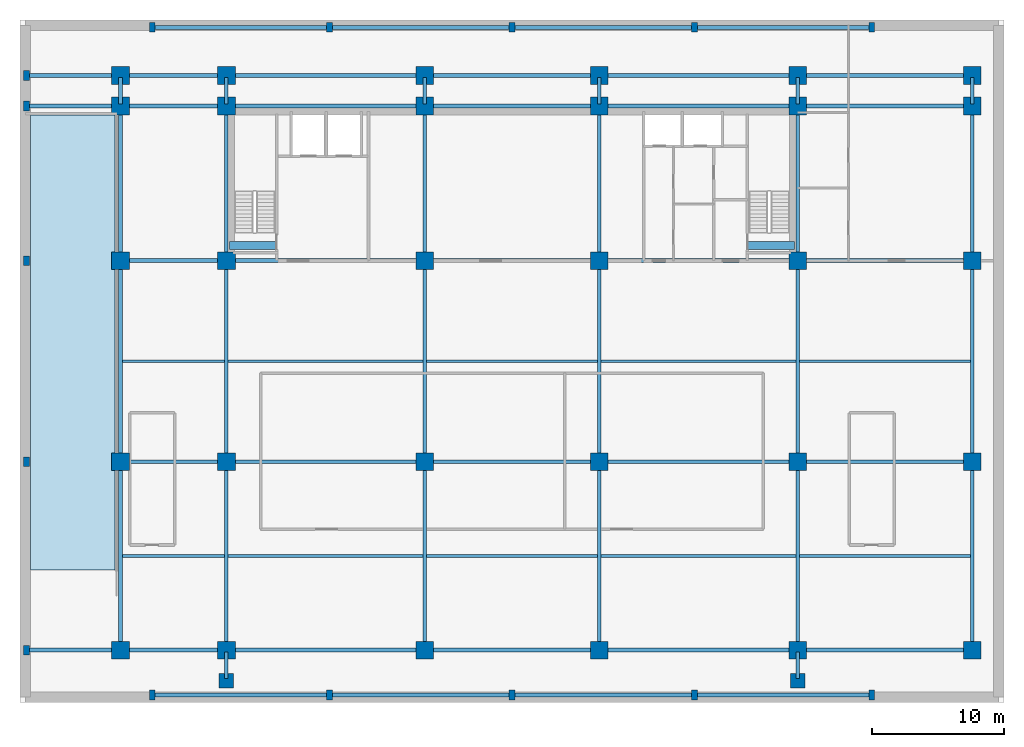
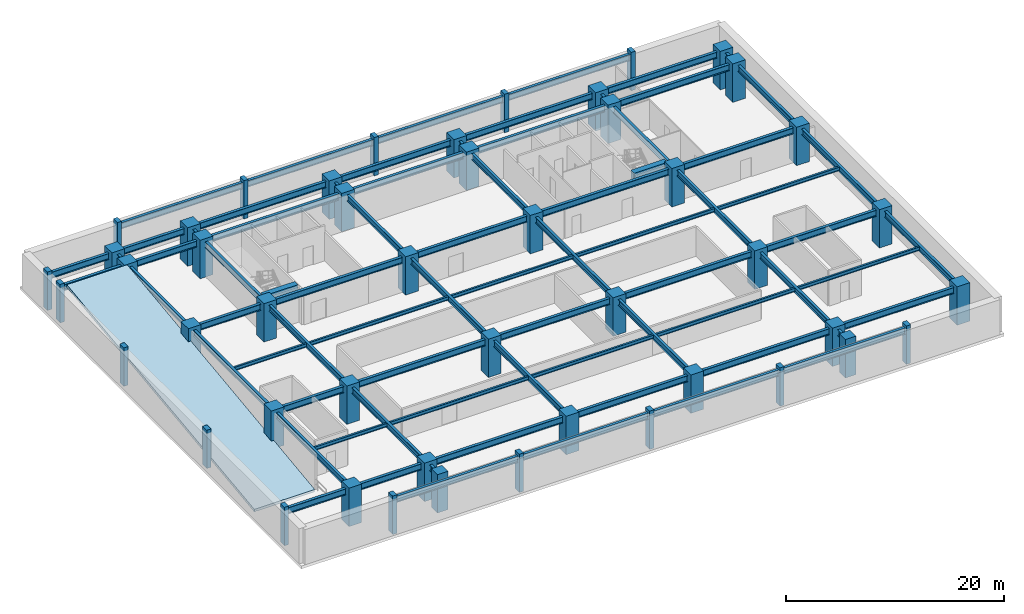
# One storey, part 1 of 8: 74 beams, 47 columns, 1 slab.
"""IFC4 building model written with IfcOpenShell, lengths in metres."""

from ifc_helpers import new_model, si_unit, direction, frame, origin, origin_2d, place, context, subcontext, project, spatial, polyline, rectangle, i_section, outline, extrude, source, transform, mapped, material, layer, layer_set, material_profile, profile_set, type_object, element, save


model = new_model("IFC4")

# Units and contexts
model_context = context("Model", 3, precision=1e-05, world=origin(), true_north=direction((0.0, 1.0)))
body_context = subcontext(model_context, "Body", "Model", "MODEL_VIEW")
ifc_project = project(units=[si_unit("LENGTHUNIT", "METRE"), si_unit("AREAUNIT", "SQUARE_METRE"), si_unit("VOLUMEUNIT", "CUBIC_METRE"), si_unit("PLANEANGLEUNIT", "RADIAN"), si_unit("MASSUNIT", "GRAM", prefix="KILO")], contexts=[model_context])

# Site, building, storey
site_placement = place(None, origin())
site = spatial("IfcSite", under=ifc_project, at=site_placement, CompositionType="ELEMENT")
building_placement = place(site_placement, origin())
building = spatial("IfcBuilding", under=site, at=building_placement, Name="Trelvane Seafront Commons", CompositionType="ELEMENT")
storey_placement = place(building_placement, frame((0.0, 0.0, -4.300048828125)))
storey = spatial("IfcBuildingStorey", under=building, at=storey_placement, Name="B01", CompositionType="ELEMENT", Elevation=-4.300048828125)

# Columns
ifc_material_1 = material(Name="Concrete C50/60", Category="concrete")
ifc_material_profile_1 = material_profile(ifc_material_1, rectangle(XDim=0.449951171875, YDim=0.75, at=origin_2d()), Name="RC-450x750")
ifc_profile_set_1 = profile_set([ifc_material_profile_1], Name="Concrete C50/60")
column_type_1 = type_object("IfcColumnType", Name="STR-PIL-RC450x750", PredefinedType="PILASTER", material=ifc_profile_set_1)
shared_shape_1 = source(origin(), body_context, "Body", "SweptSolid", [
    extrude(rectangle(XDim=0.449951171875, YDim=0.75, at=origin_2d()), origin(), (0.0, 0.0, 1.0), 4.300048828125),
])
for number, where, z_axis, x_axis, name in (
    (1, (0.5, 3.949951171875, 0.0), (0.0, 0.0, 1.0), (1.0, 0.0, 0.0), "B01 Column PC-1-1"),
    (2, (0.5, 18.199951171875, 0.0), (0.0, 0.0, 1.0), (1.0, 0.0, 0.0), "B01 Column PC-1-2"),
    (3, (0.5, 33.39990234375, 0.0), (0.0, 0.0, 1.0), (1.0, 0.0, 0.0), "B01 Column PC-1-3"),
    (4, (0.5, 45.10009765625, 0.0), (0.0, 0.0, 1.0), (1.0, 0.0, 0.0), "B01 Column PC-1-4"),
    (5, (0.5, 47.39990234375, 0.0), (0.0, 0.0, 1.0), (1.0, 0.0, 0.0), "B01 Column PC-1-5"),
    (6, (10.0, 0.550048828125, 0.0), (0.0, 0.0, 1.0), (1.0, 0.0, 0.0), "B01 Column PIL-S1"),
    (7, (10.0, 51.050048828125, 0.0), (0.0, 0.0, 1.0), (1.0, 0.0, 0.0), "B01 Column PIL-N1"),
    (8, (23.39990234375, 0.550048828125, 0.0), (0.0, 0.0, 1.0), (1.0, 0.0, 0.0), "B01 Column PIL-S2"),
    (9, (23.39990234375, 51.050048828125, 0.0), (0.0, 0.0, 1.0), (1.0, 0.0, 0.0), "B01 Column PIL-N2"),
    (10, (37.199951171875, 0.550048828125, 0.0), (0.0, 0.0, 1.0), (1.0, 0.0, 0.0), "B01 Column PIL-S3"),
    (11, (37.199951171875, 51.050048828125, 0.0), (0.0, 0.0, 1.0), (1.0, 0.0, 0.0), "B01 Column PIL-N3"),
    (12, (51.0, 0.550048828125, 0.0), (0.0, 0.0, 1.0), (1.0, 0.0, 0.0), "B01 Column PIL-S4"),
    (13, (51.0, 51.050048828125, 0.0), (0.0, 0.0, 1.0), (1.0, 0.0, 0.0), "B01 Column PIL-N4"),
    (14, (64.39990234375, 0.550048828125, 0.0), (0.0, 0.0, 1.0), (1.0, 0.0, 0.0), "B01 Column PIL-S5"),
    (15, (64.39990234375, 51.050048828125, 0.0), (0.0, 0.0, 1.0), (1.0, 0.0, 0.0), "B01 Column PIL-N5"),
):
    element("IfcColumn", number, at=place(storey_placement, frame(where, z_axis=z_axis, x_axis=x_axis)), inside=storey, type_object=column_type_1, Name=name, PredefinedType="PILASTER", context=body_context, shape_type="MappedRepresentation", body=[
        mapped(shared_shape_1, transform((0.0, 0.0, 0.0), x_axis=(1.0, 0.0, 0.0), y_axis=(0.0, 1.0, 0.0), z_axis=(0.0, 0.0, 1.0), scale=1.0)),
    ])
ifc_material_2 = material(Name="Concrete C60/75", Category="concrete")
ifc_material_profile_2 = material_profile(ifc_material_2, rectangle(XDim=1.35009765625, YDim=1.35009765625, at=origin_2d()), Name="RC-1350x1350")
ifc_profile_set_2 = profile_set([ifc_material_profile_2], Name="Concrete C60/75")
column_type_2 = type_object("IfcColumnType", Name="STR-COL-RC1350", PredefinedType="COLUMN", material=ifc_profile_set_2)
shared_shape_2 = source(origin(), body_context, "Body", "SweptSolid", [
    extrude(rectangle(XDim=1.35009765625, YDim=1.35009765625, at=origin_2d()), origin(), (0.0, 0.0, 1.0), 4.300048828125),
])
for number, where, z_axis, x_axis, name in (
    (16, (7.60009765625, 3.949951171875, 0.0), (0.0, 0.0, 1.0), (1.0, 0.0, 0.0), "B01 Column PC-2-1"),
    (17, (7.60009765625, 18.199951171875, 0.0), (0.0, 0.0, 1.0), (1.0, 0.0, 0.0), "B01 Column PC-2-2"),
    (18, (7.60009765625, 33.39990234375, 0.0), (0.0, 0.0, 1.0), (1.0, 0.0, 0.0), "B01 Column PC-2-3"),
    (19, (7.60009765625, 45.10009765625, 0.0), (0.0, 0.0, 1.0), (1.0, 0.0, 0.0), "B01 Column PC-2-4"),
    (20, (7.60009765625, 47.39990234375, 0.0), (0.0, 0.0, 1.0), (1.0, 0.0, 0.0), "B01 Column PC-2-5"),
    (21, (15.60009765625, 3.949951171875, 0.0), (0.0, 0.0, 1.0), (1.0, 0.0, 0.0), "B01 Column PC-3-1"),
    (22, (15.60009765625, 18.199951171875, 0.0), (0.0, 0.0, 1.0), (1.0, 0.0, 0.0), "B01 Column PC-3-2"),
    (23, (15.60009765625, 33.39990234375, 0.0), (0.0, 0.0, 1.0), (1.0, 0.0, 0.0), "B01 Column PC-3-3"),
    (24, (15.60009765625, 45.10009765625, 0.0), (0.0, 0.0, 1.0), (1.0, 0.0, 0.0), "B01 Column PC-3-4"),
    (25, (15.60009765625, 47.39990234375, 0.0), (0.0, 0.0, 1.0), (1.0, 0.0, 0.0), "B01 Column PC-3-5"),
    (26, (30.60009765625, 3.949951171875, 0.0), (0.0, 0.0, 1.0), (1.0, 0.0, 0.0), "B01 Column PC-4-1"),
    (27, (30.60009765625, 18.199951171875, 0.0), (0.0, 0.0, 1.0), (1.0, 0.0, 0.0), "B01 Column PC-4-2"),
    (28, (30.60009765625, 33.39990234375, 0.0), (0.0, 0.0, 1.0), (1.0, 0.0, 0.0), "B01 Column PC-4-3"),
    (29, (30.60009765625, 45.10009765625, 0.0), (0.0, 0.0, 1.0), (1.0, 0.0, 0.0), "B01 Column PC-4-4"),
    (30, (30.60009765625, 47.39990234375, 0.0), (0.0, 0.0, 1.0), (1.0, 0.0, 0.0), "B01 Column PC-4-5"),
    (31, (43.800048828125, 3.949951171875, 0.0), (0.0, 0.0, 1.0), (1.0, 0.0, 0.0), "B01 Column PC-5-1"),
    (32, (43.800048828125, 18.199951171875, 0.0), (0.0, 0.0, 1.0), (1.0, 0.0, 0.0), "B01 Column PC-5-2"),
    (33, (43.800048828125, 33.39990234375, 0.0), (0.0, 0.0, 1.0), (1.0, 0.0, 0.0), "B01 Column PC-5-3"),
    (34, (43.800048828125, 45.10009765625, 0.0), (0.0, 0.0, 1.0), (1.0, 0.0, 0.0), "B01 Column PC-5-4"),
    (35, (43.800048828125, 47.39990234375, 0.0), (0.0, 0.0, 1.0), (1.0, 0.0, 0.0), "B01 Column PC-5-5"),
    (36, (58.800048828125, 3.949951171875, 0.0), (0.0, 0.0, 1.0), (1.0, 0.0, 0.0), "B01 Column PC-6-1"),
    (37, (58.800048828125, 18.199951171875, 0.0), (0.0, 0.0, 1.0), (1.0, 0.0, 0.0), "B01 Column PC-6-2"),
    (38, (58.800048828125, 33.39990234375, 0.0), (0.0, 0.0, 1.0), (1.0, 0.0, 0.0), "B01 Column PC-6-3"),
    (39, (58.800048828125, 45.10009765625, 0.0), (0.0, 0.0, 1.0), (1.0, 0.0, 0.0), "B01 Column PC-6-4"),
    (40, (58.800048828125, 47.39990234375, 0.0), (0.0, 0.0, 1.0), (1.0, 0.0, 0.0), "B01 Column PC-6-5"),
    (41, (72.0, 3.949951171875, 0.0), (0.0, 0.0, 1.0), (1.0, 0.0, 0.0), "B01 Column PC-7-1"),
    (42, (72.0, 18.199951171875, 0.0), (0.0, 0.0, 1.0), (1.0, 0.0, 0.0), "B01 Column PC-7-2"),
    (43, (72.0, 33.39990234375, 0.0), (0.0, 0.0, 1.0), (1.0, 0.0, 0.0), "B01 Column PC-7-3"),
    (44, (72.0, 45.10009765625, 0.0), (0.0, 0.0, 1.0), (1.0, 0.0, 0.0), "B01 Column PC-7-4"),
    (45, (72.0, 47.39990234375, 0.0), (0.0, 0.0, 1.0), (1.0, 0.0, 0.0), "B01 Column PC-7-5"),
):
    element("IfcColumn", number, at=place(storey_placement, frame(where, z_axis=z_axis, x_axis=x_axis)), inside=storey, type_object=column_type_2, Name=name, PredefinedType="COLUMN", context=body_context, shape_type="MappedRepresentation", body=[
        mapped(shared_shape_2, transform((0.0, 0.0, 0.0), x_axis=(1.0, 0.0, 0.0), y_axis=(0.0, 1.0, 0.0), z_axis=(0.0, 0.0, 1.0), scale=1.0)),
    ])
ifc_material_profile_3 = material_profile(ifc_material_2, rectangle(XDim=1.10009765625, YDim=1.10009765625, at=origin_2d()), Name="RC-1100x1100")
ifc_profile_set_3 = profile_set([ifc_material_profile_3], Name="Concrete C60/75")
column_type_3 = type_object("IfcColumnType", Name="STR-COL-RC1100", PredefinedType="COLUMN", material=ifc_profile_set_3)
shared_shape_3 = source(origin(), body_context, "Body", "SweptSolid", [
    extrude(rectangle(XDim=1.10009765625, YDim=1.10009765625, at=origin_2d()), origin(), (0.0, 0.0, 1.0), 4.300048828125),
])
for number, where, z_axis, x_axis, name in (
    (46, (15.60009765625, 1.64990234375, 0.0), (0.0, 0.0, 1.0), (1.0, 0.0, 0.0), "B01 Column PIL-VP-W"),
    (47, (58.800048828125, 1.64990234375, 0.0), (0.0, 0.0, 1.0), (1.0, 0.0, 0.0), "B01 Column PIL-VP-E"),
):
    element("IfcColumn", number, at=place(storey_placement, frame(where, z_axis=z_axis, x_axis=x_axis)), inside=storey, type_object=column_type_3, Name=name, PredefinedType="COLUMN", context=body_context, shape_type="MappedRepresentation", body=[
        mapped(shared_shape_3, transform((0.0, 0.0, 0.0), x_axis=(1.0, 0.0, 0.0), y_axis=(0.0, 1.0, 0.0), z_axis=(0.0, 0.0, 1.0), scale=1.0)),
    ])

# Beams
ifc_material_3 = material(Name="Steel SM355 (S355)", Category="steel")
ifc_material_profile_4 = material_profile(ifc_material_3, i_section(OverallWidth=0.280029296875, OverallDepth=0.64990234375, WebThickness=0.012939453125, FlangeThickness=0.02197265625, at=origin_2d()), Name="H-650x280x13x22")
ifc_profile_set_4 = profile_set([ifc_material_profile_4], Name="Steel SM355 (S355)")
beam_type_1 = type_object("IfcBeamType", Name="STR-BM-H650", PredefinedType="BEAM", material=ifc_profile_set_4)
shared_shape_4 = source(origin(), body_context, "Body", "SweptSolid", [
    extrude(i_section(OverallWidth=0.280029296875, OverallDepth=0.64990234375, WebThickness=0.012939453125, FlangeThickness=0.02197265625, at=origin_2d()), origin(), (0.0, 0.0, 1.0), 13.949951171875),
])
for number, where, z_axis, x_axis, name in (
    (48, (7.60009765625, 4.10009765625, 3.614990234375), (0.0, 1.0, 0.0), (-1.0, 0.0, 0.0), "B01 Primary Girder G-39"),
    (49, (15.60009765625, 4.10009765625, 3.614990234375), (0.0, 1.0, 0.0), (-1.0, 0.0, 0.0), "B01 Primary Girder G-44"),
    (50, (30.60009765625, 4.10009765625, 3.614990234375), (0.0, 1.0, 0.0), (-1.0, 0.0, 0.0), "B01 Primary Girder G-48"),
    (51, (43.800048828125, 4.10009765625, 3.614990234375), (0.0, 1.0, 0.0), (-1.0, 0.0, 0.0), "B01 Primary Girder G-52"),
    (52, (58.800048828125, 4.10009765625, 3.614990234375), (0.0, 1.0, 0.0), (-1.0, 0.0, 0.0), "B01 Primary Girder G-57"),
    (53, (72.0, 4.10009765625, 3.614990234375), (0.0, 1.0, 0.0), (-1.0, 0.0, 0.0), "B01 Primary Girder G-61"),
):
    element("IfcBeam", number, at=place(storey_placement, frame(where, z_axis=z_axis, x_axis=x_axis)), inside=storey, type_object=beam_type_1, Name=name, PredefinedType="BEAM", context=body_context, shape_type="MappedRepresentation", body=[
        mapped(shared_shape_4, transform((0.0, 0.0, 0.0), x_axis=(1.0, 0.0, 0.0), y_axis=(0.0, 1.0, 0.0), z_axis=(0.0, 0.0, 1.0), scale=1.0)),
    ])
shared_shape_5 = source(origin(), body_context, "Body", "SweptSolid", [
    extrude(i_section(OverallWidth=0.280029296875, OverallDepth=0.64990234375, WebThickness=0.012939453125, FlangeThickness=0.02197265625, at=origin_2d()), origin(), (0.0, 0.0, 1.0), 14.89990234375),
])
for number, where, z_axis, x_axis, name in (
    (54, (7.60009765625, 18.35009765625, 3.614990234375), (0.0, 1.0, 0.0), (-1.0, 0.0, 0.0), "B01 Primary Girder G-40"),
    (55, (15.60009765625, 18.35009765625, 3.614990234375), (0.0, 1.0, 0.0), (-1.0, 0.0, 0.0), "B01 Primary Girder G-45"),
    (56, (30.60009765625, 18.35009765625, 3.614990234375), (0.0, 1.0, 0.0), (-1.0, 0.0, 0.0), "B01 Primary Girder G-49"),
    (57, (43.800048828125, 18.35009765625, 3.614990234375), (0.0, 1.0, 0.0), (-1.0, 0.0, 0.0), "B01 Primary Girder G-53"),
    (58, (58.800048828125, 18.35009765625, 3.614990234375), (0.0, 1.0, 0.0), (-1.0, 0.0, 0.0), "B01 Primary Girder G-58"),
    (59, (72.0, 18.35009765625, 3.614990234375), (0.0, 1.0, 0.0), (-1.0, 0.0, 0.0), "B01 Primary Girder G-62"),
):
    element("IfcBeam", number, at=place(storey_placement, frame(where, z_axis=z_axis, x_axis=x_axis)), inside=storey, type_object=beam_type_1, Name=name, PredefinedType="BEAM", context=body_context, shape_type="MappedRepresentation", body=[
        mapped(shared_shape_5, transform((0.0, 0.0, 0.0), x_axis=(1.0, 0.0, 0.0), y_axis=(0.0, 1.0, 0.0), z_axis=(0.0, 0.0, 1.0), scale=1.0)),
    ])
shared_shape_6 = source(origin(), body_context, "Body", "SweptSolid", [
    extrude(i_section(OverallWidth=0.280029296875, OverallDepth=0.64990234375, WebThickness=0.012939453125, FlangeThickness=0.02197265625, at=origin_2d()), origin(), (0.0, 0.0, 1.0), 11.39990234375),
])
for number, where, z_axis, x_axis, name in (
    (60, (7.60009765625, 33.550048828125, 3.614990234375), (0.0, 1.0, 0.0), (-1.0, 0.0, 0.0), "B01 Primary Girder G-41"),
    (61, (15.60009765625, 33.550048828125, 3.614990234375), (0.0, 1.0, 0.0), (-1.0, 0.0, 0.0), "B01 Primary Girder G-46"),
    (62, (30.60009765625, 33.550048828125, 3.614990234375), (0.0, 1.0, 0.0), (-1.0, 0.0, 0.0), "B01 Primary Girder G-50"),
    (63, (43.800048828125, 33.550048828125, 3.614990234375), (0.0, 1.0, 0.0), (-1.0, 0.0, 0.0), "B01 Primary Girder G-54"),
    (64, (58.800048828125, 33.550048828125, 3.614990234375), (0.0, 1.0, 0.0), (-1.0, 0.0, 0.0), "B01 Primary Girder G-59"),
    (65, (72.0, 33.550048828125, 3.614990234375), (0.0, 1.0, 0.0), (-1.0, 0.0, 0.0), "B01 Primary Girder G-63"),
):
    element("IfcBeam", number, at=place(storey_placement, frame(where, z_axis=z_axis, x_axis=x_axis)), inside=storey, type_object=beam_type_1, Name=name, PredefinedType="BEAM", context=body_context, shape_type="MappedRepresentation", body=[
        mapped(shared_shape_6, transform((0.0, 0.0, 0.0), x_axis=(1.0, 0.0, 0.0), y_axis=(0.0, 1.0, 0.0), z_axis=(0.0, 0.0, 1.0), scale=1.0)),
    ])
shared_shape_7 = source(origin(), body_context, "Body", "SweptSolid", [
    extrude(i_section(OverallWidth=0.280029296875, OverallDepth=0.64990234375, WebThickness=0.012939453125, FlangeThickness=0.02197265625, at=origin_2d()), origin(), (0.0, 0.0, 1.0), 2.0),
])
for number, where, z_axis, x_axis, name in (
    (66, (7.60009765625, 45.25, 3.614990234375), (0.0, 1.0, 0.0), (-1.0, 0.0, 0.0), "B01 Primary Girder G-42"),
    (67, (15.60009765625, 1.800048828125, 3.614990234375), (0.0, 1.0, 0.0), (-1.0, 0.0, 0.0), "B01 Primary Girder G-43"),
    (68, (15.60009765625, 45.25, 3.614990234375), (0.0, 1.0, 0.0), (-1.0, 0.0, 0.0), "B01 Primary Girder G-47"),
    (69, (30.60009765625, 45.25, 3.614990234375), (0.0, 1.0, 0.0), (-1.0, 0.0, 0.0), "B01 Primary Girder G-51"),
    (70, (43.800048828125, 45.25, 3.614990234375), (0.0, 1.0, 0.0), (-1.0, 0.0, 0.0), "B01 Primary Girder G-55"),
    (71, (58.800048828125, 1.800048828125, 3.614990234375), (0.0, 1.0, 0.0), (-1.0, 0.0, 0.0), "B01 Primary Girder G-56"),
    (72, (58.800048828125, 45.25, 3.614990234375), (0.0, 1.0, 0.0), (-1.0, 0.0, 0.0), "B01 Primary Girder G-60"),
    (73, (72.0, 45.25, 3.614990234375), (0.0, 1.0, 0.0), (-1.0, 0.0, 0.0), "B01 Primary Girder G-64"),
):
    element("IfcBeam", number, at=place(storey_placement, frame(where, z_axis=z_axis, x_axis=x_axis)), inside=storey, type_object=beam_type_1, Name=name, PredefinedType="BEAM", context=body_context, shape_type="MappedRepresentation", body=[
        mapped(shared_shape_7, transform((0.0, 0.0, 0.0), x_axis=(1.0, 0.0, 0.0), y_axis=(0.0, 1.0, 0.0), z_axis=(0.0, 0.0, 1.0), scale=1.0)),
    ])
ifc_material_profile_5 = material_profile(ifc_material_3, i_section(OverallWidth=0.199951171875, OverallDepth=0.39990234375, WebThickness=0.008056640625, FlangeThickness=0.012939453125, at=origin_2d()), Name="H-400x200x8x13")
ifc_profile_set_5 = profile_set([ifc_material_profile_5], Name="Steel SM355 (S355)")
beam_type_2 = type_object("IfcBeamType", Name="STR-JST-H400", PredefinedType="JOIST", material=ifc_profile_set_5)
shared_shape_8 = source(origin(), body_context, "Body", "SweptSolid", [
    extrude(i_section(OverallWidth=0.199951171875, OverallDepth=0.39990234375, WebThickness=0.008056640625, FlangeThickness=0.012939453125, at=origin_2d()), origin(), (0.0, 0.0, 1.0), 7.719970703125),
])
for number, where, z_axis, x_axis, name in (
    (74, (7.739990234375, 11.074951171875, 3.739990234375), (1.0, 0.0, 0.0), (0.0, 1.0, 0.0), "B01 Secondary Floor Joist B-65"),
    (75, (7.739990234375, 25.800048828125, 3.739990234375), (1.0, 0.0, 0.0), (0.0, 1.0, 0.0), "B01 Secondary Floor Joist B-70"),
):
    element("IfcBeam", number, at=place(storey_placement, frame(where, z_axis=z_axis, x_axis=x_axis)), inside=storey, type_object=beam_type_2, Name=name, PredefinedType="JOIST", context=body_context, shape_type="MappedRepresentation", body=[
        mapped(shared_shape_8, transform((0.0, 0.0, 0.0), x_axis=(1.0, 0.0, 0.0), y_axis=(0.0, 1.0, 0.0), z_axis=(0.0, 0.0, 1.0), scale=1.0)),
    ])
shared_shape_9 = source(origin(), body_context, "Body", "SweptSolid", [
    extrude(i_section(OverallWidth=0.199951171875, OverallDepth=0.39990234375, WebThickness=0.008056640625, FlangeThickness=0.012939453125, at=origin_2d()), origin(), (0.0, 0.0, 1.0), 14.719970703125),
])
for number, where, z_axis, x_axis, name in (
    (76, (15.739990234375, 11.074951171875, 3.739990234375), (1.0, 0.0, 0.0), (0.0, 1.0, 0.0), "B01 Secondary Floor Joist B-66"),
    (77, (43.93994140625, 11.074951171875, 3.739990234375), (1.0, 0.0, 0.0), (0.0, 1.0, 0.0), "B01 Secondary Floor Joist B-68"),
    (78, (15.739990234375, 25.800048828125, 3.739990234375), (1.0, 0.0, 0.0), (0.0, 1.0, 0.0), "B01 Secondary Floor Joist B-71"),
    (79, (43.93994140625, 25.800048828125, 3.739990234375), (1.0, 0.0, 0.0), (0.0, 1.0, 0.0), "B01 Secondary Floor Joist B-73"),
):
    element("IfcBeam", number, at=place(storey_placement, frame(where, z_axis=z_axis, x_axis=x_axis)), inside=storey, type_object=beam_type_2, Name=name, PredefinedType="JOIST", context=body_context, shape_type="MappedRepresentation", body=[
        mapped(shared_shape_9, transform((0.0, 0.0, 0.0), x_axis=(1.0, 0.0, 0.0), y_axis=(0.0, 1.0, 0.0), z_axis=(0.0, 0.0, 1.0), scale=1.0)),
    ])
shared_shape_10 = source(origin(), body_context, "Body", "SweptSolid", [
    extrude(i_section(OverallWidth=0.199951171875, OverallDepth=0.39990234375, WebThickness=0.008056640625, FlangeThickness=0.012939453125, at=origin_2d()), origin(), (0.0, 0.0, 1.0), 12.919921875),
])
for number, where, z_axis, x_axis, name in (
    (80, (30.739990234375, 11.074951171875, 3.739990234375), (1.0, 0.0, 0.0), (0.0, 1.0, 0.0), "B01 Secondary Floor Joist B-67"),
    (81, (30.739990234375, 25.800048828125, 3.739990234375), (1.0, 0.0, 0.0), (0.0, 1.0, 0.0), "B01 Secondary Floor Joist B-72"),
):
    element("IfcBeam", number, at=place(storey_placement, frame(where, z_axis=z_axis, x_axis=x_axis)), inside=storey, type_object=beam_type_2, Name=name, PredefinedType="JOIST", context=body_context, shape_type="MappedRepresentation", body=[
        mapped(shared_shape_10, transform((0.0, 0.0, 0.0), x_axis=(1.0, 0.0, 0.0), y_axis=(0.0, 1.0, 0.0), z_axis=(0.0, 0.0, 1.0), scale=1.0)),
    ])
shared_shape_11 = source(origin(), body_context, "Body", "SweptSolid", [
    extrude(i_section(OverallWidth=0.199951171875, OverallDepth=0.39990234375, WebThickness=0.008056640625, FlangeThickness=0.012939453125, at=origin_2d()), origin(), (0.0, 0.0, 1.0), 12.920166015625),
])
for number, where, z_axis, x_axis, name in (
    (82, (58.93994140625, 11.074951171875, 3.739990234375), (1.0, 0.0, 0.0), (0.0, 1.0, 0.0), "B01 Secondary Floor Joist B-69"),
    (83, (58.93994140625, 25.800048828125, 3.739990234375), (1.0, 0.0, 0.0), (0.0, 1.0, 0.0), "B01 Secondary Floor Joist B-74"),
):
    element("IfcBeam", number, at=place(storey_placement, frame(where, z_axis=z_axis, x_axis=x_axis)), inside=storey, type_object=beam_type_2, Name=name, PredefinedType="JOIST", context=body_context, shape_type="MappedRepresentation", body=[
        mapped(shared_shape_11, transform((0.0, 0.0, 0.0), x_axis=(1.0, 0.0, 0.0), y_axis=(0.0, 1.0, 0.0), z_axis=(0.0, 0.0, 1.0), scale=1.0)),
    ])
ifc_material_profile_6 = material_profile(ifc_material_2, rectangle(XDim=0.60009765625, YDim=0.89990234375, at=origin_2d()), Name="RC-600x900")
ifc_profile_set_6 = profile_set([ifc_material_profile_6], Name="Concrete C60/75")
beam_type_3 = type_object("IfcBeamType", Name="STR-LNT-RC600x900", PredefinedType="LINTEL", material=ifc_profile_set_6)
shared_shape_12 = source(origin(), body_context, "Body", "SweptSolid", [
    extrude(rectangle(XDim=0.60009765625, YDim=0.89990234375, at=origin_2d()), origin(), (0.0, 0.0, 1.0), 3.5498046875),
])
beam_1_placement = place(storey_placement, frame((15.85009765625, 34.550048828125, 3.489990234375), z_axis=(1.0, 0.0, 0.0), x_axis=(0.0, 1.0, 0.0)))
element("IfcBeam", 84, at=beam_1_placement, inside=storey, type_object=beam_type_3, Name="B01 Core Coupling Lintel Beam CB-75", PredefinedType="LINTEL", context=body_context, shape_type="MappedRepresentation", body=[
    mapped(shared_shape_12, transform((0.0, 0.0, 0.0), x_axis=(1.0, 0.0, 0.0), y_axis=(0.0, 1.0, 0.0), z_axis=(0.0, 0.0, 1.0), scale=1.0)),
])
shared_shape_13 = source(origin(), body_context, "Body", "SweptSolid", [
    extrude(rectangle(XDim=0.60009765625, YDim=0.89990234375, at=origin_2d()), origin(), (0.0, 0.0, 1.0), 3.550048828125),
])
beam_2_placement = place(storey_placement, frame((55.0, 34.550048828125, 3.489990234375), z_axis=(1.0, 0.0, 0.0), x_axis=(0.0, 1.0, 0.0)))
element("IfcBeam", 85, at=beam_2_placement, inside=storey, type_object=beam_type_3, Name="B01 Core Coupling Lintel Beam CB-76", PredefinedType="LINTEL", context=body_context, shape_type="MappedRepresentation", body=[
    mapped(shared_shape_13, transform((0.0, 0.0, 0.0), x_axis=(1.0, 0.0, 0.0), y_axis=(0.0, 1.0, 0.0), z_axis=(0.0, 0.0, 1.0), scale=1.0)),
])
ifc_material_profile_7 = material_profile(ifc_material_3, i_section(OverallWidth=0.300048828125, OverallDepth=0.699951171875, WebThickness=0.012939453125, FlangeThickness=0.02392578125, at=origin_2d()), Name="H-700x300x13x24")
ifc_profile_set_7 = profile_set([ifc_material_profile_7], Name="Steel SM355 (S355)")
beam_type_4 = type_object("IfcBeamType", Name="STR-BM-H700", PredefinedType="BEAM", material=ifc_profile_set_7)
shared_shape_14 = source(origin(), body_context, "Body", "SweptSolid", [
    extrude(i_section(OverallWidth=0.300048828125, OverallDepth=0.699951171875, WebThickness=0.012939453125, FlangeThickness=0.02392578125, at=origin_2d()), origin(), (0.0, 0.0, 1.0), 13.175048828125),
])
for number, where, z_axis, x_axis, name in (
    (86, (10.112548828125, 0.550048828125, 3.590087890625), (1.0, 0.0, 0.0), (0.0, 1.0, 0.0), "B01 Primary Girder G-01"),
    (87, (51.112548828125, 0.550048828125, 3.590087890625), (1.0, 0.0, 0.0), (0.0, 1.0, 0.0), "B01 Primary Girder G-04"),
    (88, (10.112548828125, 51.050048828125, 3.590087890625), (1.0, 0.0, 0.0), (0.0, 1.0, 0.0), "B01 Primary Girder G-35"),
    (89, (51.112548828125, 51.050048828125, 3.590087890625), (1.0, 0.0, 0.0), (0.0, 1.0, 0.0), "B01 Primary Girder G-38"),
):
    element("IfcBeam", number, at=place(storey_placement, frame(where, z_axis=z_axis, x_axis=x_axis)), inside=storey, type_object=beam_type_4, Name=name, PredefinedType="BEAM", context=body_context, shape_type="MappedRepresentation", body=[
        mapped(shared_shape_14, transform((0.0, 0.0, 0.0), x_axis=(1.0, 0.0, 0.0), y_axis=(0.0, 1.0, 0.0), z_axis=(0.0, 0.0, 1.0), scale=1.0)),
    ])
shared_shape_15 = source(origin(), body_context, "Body", "SweptSolid", [
    extrude(i_section(OverallWidth=0.300048828125, OverallDepth=0.699951171875, WebThickness=0.012939453125, FlangeThickness=0.02392578125, at=origin_2d()), origin(), (0.0, 0.0, 1.0), 13.574951171875),
])
for number, where, z_axis, x_axis, name in (
    (90, (23.512451171875, 0.550048828125, 3.590087890625), (1.0, 0.0, 0.0), (0.0, 1.0, 0.0), "B01 Primary Girder G-02"),
    (91, (37.3125, 0.550048828125, 3.590087890625), (1.0, 0.0, 0.0), (0.0, 1.0, 0.0), "B01 Primary Girder G-03"),
    (92, (23.512451171875, 51.050048828125, 3.590087890625), (1.0, 0.0, 0.0), (0.0, 1.0, 0.0), "B01 Primary Girder G-36"),
    (93, (37.3125, 51.050048828125, 3.590087890625), (1.0, 0.0, 0.0), (0.0, 1.0, 0.0), "B01 Primary Girder G-37"),
):
    element("IfcBeam", number, at=place(storey_placement, frame(where, z_axis=z_axis, x_axis=x_axis)), inside=storey, type_object=beam_type_4, Name=name, PredefinedType="BEAM", context=body_context, shape_type="MappedRepresentation", body=[
        mapped(shared_shape_15, transform((0.0, 0.0, 0.0), x_axis=(1.0, 0.0, 0.0), y_axis=(0.0, 1.0, 0.0), z_axis=(0.0, 0.0, 1.0), scale=1.0)),
    ])
shared_shape_16 = source(origin(), body_context, "Body", "SweptSolid", [
    extrude(i_section(OverallWidth=0.300048828125, OverallDepth=0.699951171875, WebThickness=0.012939453125, FlangeThickness=0.02392578125, at=origin_2d()), origin(), (0.0, 0.0, 1.0), 6.83740234375),
])
for number, where, z_axis, x_axis, name in (
    (94, (0.612548828125, 3.949951171875, 3.590087890625), (1.0, 0.0, 0.0), (0.0, 1.0, 0.0), "B01 Primary Girder G-05"),
    (95, (0.612548828125, 45.10009765625, 3.590087890625), (1.0, 0.0, 0.0), (0.0, 1.0, 0.0), "B01 Primary Girder G-23"),
    (96, (0.612548828125, 47.39990234375, 3.590087890625), (1.0, 0.0, 0.0), (0.0, 1.0, 0.0), "B01 Primary Girder G-29"),
):
    element("IfcBeam", number, at=place(storey_placement, frame(where, z_axis=z_axis, x_axis=x_axis)), inside=storey, type_object=beam_type_4, Name=name, PredefinedType="BEAM", context=body_context, shape_type="MappedRepresentation", body=[
        mapped(shared_shape_16, transform((0.0, 0.0, 0.0), x_axis=(1.0, 0.0, 0.0), y_axis=(0.0, 1.0, 0.0), z_axis=(0.0, 0.0, 1.0), scale=1.0)),
    ])
shared_shape_17 = source(origin(), body_context, "Body", "SweptSolid", [
    extrude(i_section(OverallWidth=0.300048828125, OverallDepth=0.699951171875, WebThickness=0.012939453125, FlangeThickness=0.02392578125, at=origin_2d()), origin(), (0.0, 0.0, 1.0), 7.699951171875),
])
for number, where, z_axis, x_axis, name in (
    (97, (7.75, 3.949951171875, 3.590087890625), (1.0, 0.0, 0.0), (0.0, 1.0, 0.0), "B01 Primary Girder G-06"),
    (98, (7.75, 18.199951171875, 3.590087890625), (1.0, 0.0, 0.0), (0.0, 1.0, 0.0), "B01 Primary Girder G-12"),
    (99, (7.75, 33.39990234375, 3.590087890625), (1.0, 0.0, 0.0), (0.0, 1.0, 0.0), "B01 Primary Girder G-18"),
    (100, (7.75, 45.10009765625, 3.590087890625), (1.0, 0.0, 0.0), (0.0, 1.0, 0.0), "B01 Primary Girder G-24"),
    (101, (7.75, 47.39990234375, 3.590087890625), (1.0, 0.0, 0.0), (0.0, 1.0, 0.0), "B01 Primary Girder G-30"),
):
    element("IfcBeam", number, at=place(storey_placement, frame(where, z_axis=z_axis, x_axis=x_axis)), inside=storey, type_object=beam_type_4, Name=name, PredefinedType="BEAM", context=body_context, shape_type="MappedRepresentation", body=[
        mapped(shared_shape_17, transform((0.0, 0.0, 0.0), x_axis=(1.0, 0.0, 0.0), y_axis=(0.0, 1.0, 0.0), z_axis=(0.0, 0.0, 1.0), scale=1.0)),
    ])
shared_shape_18 = source(origin(), body_context, "Body", "SweptSolid", [
    extrude(i_section(OverallWidth=0.300048828125, OverallDepth=0.699951171875, WebThickness=0.012939453125, FlangeThickness=0.02392578125, at=origin_2d()), origin(), (0.0, 0.0, 1.0), 14.699951171875),
])
for number, where, z_axis, x_axis, name in (
    (102, (15.75, 3.949951171875, 3.590087890625), (1.0, 0.0, 0.0), (0.0, 1.0, 0.0), "B01 Primary Girder G-07"),
    (103, (43.949951171875, 3.949951171875, 3.590087890625), (1.0, 0.0, 0.0), (0.0, 1.0, 0.0), "B01 Primary Girder G-09"),
    (104, (15.75, 18.199951171875, 3.590087890625), (1.0, 0.0, 0.0), (0.0, 1.0, 0.0), "B01 Primary Girder G-13"),
    (105, (43.949951171875, 18.199951171875, 3.590087890625), (1.0, 0.0, 0.0), (0.0, 1.0, 0.0), "B01 Primary Girder G-15"),
    (106, (15.75, 33.39990234375, 3.590087890625), (1.0, 0.0, 0.0), (0.0, 1.0, 0.0), "B01 Primary Girder G-19"),
    (107, (43.949951171875, 33.39990234375, 3.590087890625), (1.0, 0.0, 0.0), (0.0, 1.0, 0.0), "B01 Primary Girder G-21"),
    (108, (15.75, 45.10009765625, 3.590087890625), (1.0, 0.0, 0.0), (0.0, 1.0, 0.0), "B01 Primary Girder G-25"),
    (109, (43.949951171875, 45.10009765625, 3.590087890625), (1.0, 0.0, 0.0), (0.0, 1.0, 0.0), "B01 Primary Girder G-27"),
    (110, (15.75, 47.39990234375, 3.590087890625), (1.0, 0.0, 0.0), (0.0, 1.0, 0.0), "B01 Primary Girder G-31"),
    (111, (43.949951171875, 47.39990234375, 3.590087890625), (1.0, 0.0, 0.0), (0.0, 1.0, 0.0), "B01 Primary Girder G-33"),
):
    element("IfcBeam", number, at=place(storey_placement, frame(where, z_axis=z_axis, x_axis=x_axis)), inside=storey, type_object=beam_type_4, Name=name, PredefinedType="BEAM", context=body_context, shape_type="MappedRepresentation", body=[
        mapped(shared_shape_18, transform((0.0, 0.0, 0.0), x_axis=(1.0, 0.0, 0.0), y_axis=(0.0, 1.0, 0.0), z_axis=(0.0, 0.0, 1.0), scale=1.0)),
    ])
shared_shape_19 = source(origin(), body_context, "Body", "SweptSolid", [
    extrude(i_section(OverallWidth=0.300048828125, OverallDepth=0.699951171875, WebThickness=0.012939453125, FlangeThickness=0.02392578125, at=origin_2d()), origin(), (0.0, 0.0, 1.0), 12.89990234375),
])
for number, where, z_axis, x_axis, name in (
    (112, (30.75, 3.949951171875, 3.590087890625), (1.0, 0.0, 0.0), (0.0, 1.0, 0.0), "B01 Primary Girder G-08"),
    (113, (30.75, 18.199951171875, 3.590087890625), (1.0, 0.0, 0.0), (0.0, 1.0, 0.0), "B01 Primary Girder G-14"),
    (114, (30.75, 33.39990234375, 3.590087890625), (1.0, 0.0, 0.0), (0.0, 1.0, 0.0), "B01 Primary Girder G-20"),
    (115, (30.75, 45.10009765625, 3.590087890625), (1.0, 0.0, 0.0), (0.0, 1.0, 0.0), "B01 Primary Girder G-26"),
    (116, (30.75, 47.39990234375, 3.590087890625), (1.0, 0.0, 0.0), (0.0, 1.0, 0.0), "B01 Primary Girder G-32"),
):
    element("IfcBeam", number, at=place(storey_placement, frame(where, z_axis=z_axis, x_axis=x_axis)), inside=storey, type_object=beam_type_4, Name=name, PredefinedType="BEAM", context=body_context, shape_type="MappedRepresentation", body=[
        mapped(shared_shape_19, transform((0.0, 0.0, 0.0), x_axis=(1.0, 0.0, 0.0), y_axis=(0.0, 1.0, 0.0), z_axis=(0.0, 0.0, 1.0), scale=1.0)),
    ])
shared_shape_20 = source(origin(), body_context, "Body", "SweptSolid", [
    extrude(i_section(OverallWidth=0.300048828125, OverallDepth=0.699951171875, WebThickness=0.012939453125, FlangeThickness=0.02392578125, at=origin_2d()), origin(), (0.0, 0.0, 1.0), 12.900146484375),
])
for number, where, z_axis, x_axis, name in (
    (117, (58.949951171875, 3.949951171875, 3.590087890625), (1.0, 0.0, 0.0), (0.0, 1.0, 0.0), "B01 Primary Girder G-10"),
    (118, (58.949951171875, 18.199951171875, 3.590087890625), (1.0, 0.0, 0.0), (0.0, 1.0, 0.0), "B01 Primary Girder G-16"),
    (119, (58.949951171875, 33.39990234375, 3.590087890625), (1.0, 0.0, 0.0), (0.0, 1.0, 0.0), "B01 Primary Girder G-22"),
    (120, (58.949951171875, 45.10009765625, 3.590087890625), (1.0, 0.0, 0.0), (0.0, 1.0, 0.0), "B01 Primary Girder G-28"),
    (121, (58.949951171875, 47.39990234375, 3.590087890625), (1.0, 0.0, 0.0), (0.0, 1.0, 0.0), "B01 Primary Girder G-34"),
):
    element("IfcBeam", number, at=place(storey_placement, frame(where, z_axis=z_axis, x_axis=x_axis)), inside=storey, type_object=beam_type_4, Name=name, PredefinedType="BEAM", context=body_context, shape_type="MappedRepresentation", body=[
        mapped(shared_shape_20, transform((0.0, 0.0, 0.0), x_axis=(1.0, 0.0, 0.0), y_axis=(0.0, 1.0, 0.0), z_axis=(0.0, 0.0, 1.0), scale=1.0)),
    ])

# Slab
ifc_material_4 = material(Name="Concrete C40/50", Category="concrete")
ifc_layer = layer(ifc_material_4, 0.300048828125, Name="STR-SLB-VRAMP300")
ifc_layer_set = layer_set([ifc_layer], Name="Concrete C40/50")
slab_type = type_object("IfcSlabType", Name="STR-SLB-VRAMP300", PredefinedType="USERDEFINED", material=ifc_layer_set)
slab_placement = place(storey_placement, frame((0.800048828125, 10.0, 0.0), z_axis=(0.0, -0.124036468084, 0.992277660025), x_axis=(1.0, 0.0, 0.0)))
element("IfcSlab", 122, at=slab_placement, inside=storey, type_object=slab_type, Name="Basement Two-Way Car Park Vehicle Ramp Slab R-B1", ObjectType="VEHICLE RAMP", PredefinedType="USERDEFINED", context=body_context, shape_type="SweptSolid", body=[
    extrude(outline(polyline([(0.0, 0.0), (6.39990234375, 0.0), (6.39990234375, 34.667617471983796), (0.0, 34.667617471983796), (0.0, 0.0)])), origin(), (0.0, 0.0, -1.0), 0.300048828125),
])

save(model, "model.ifc")
